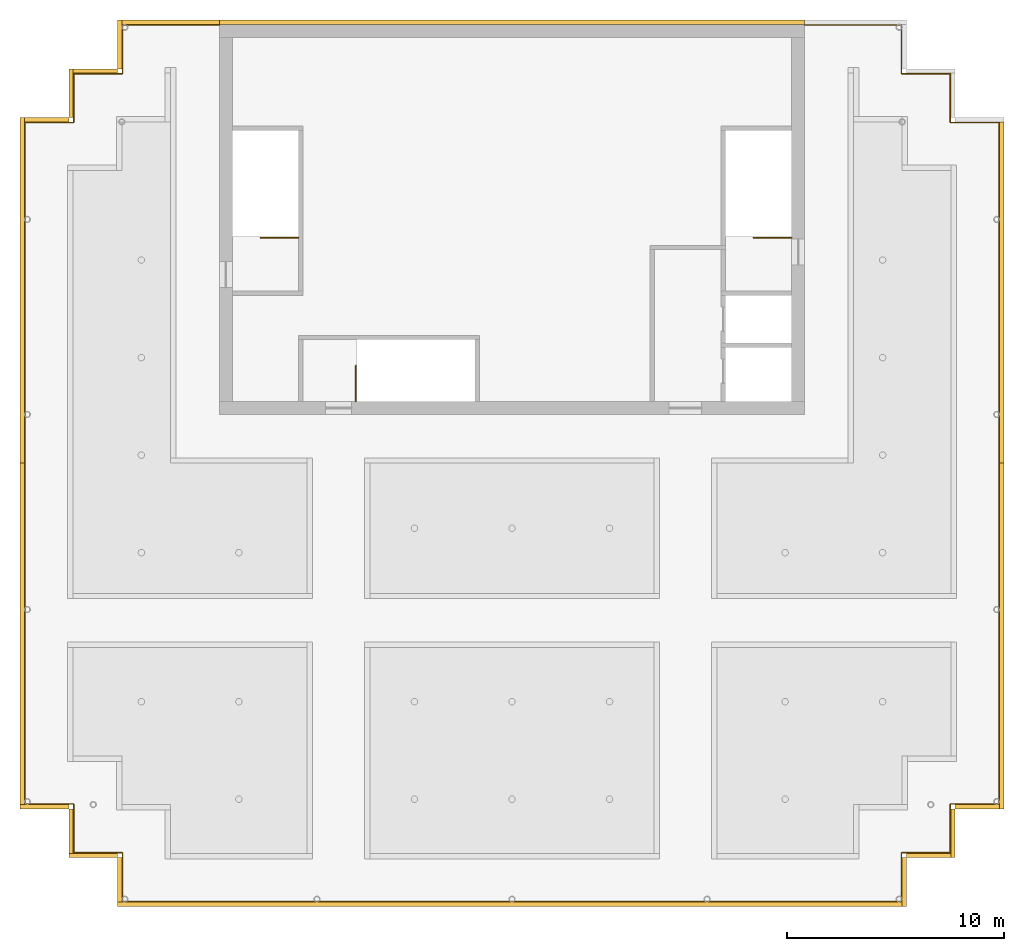
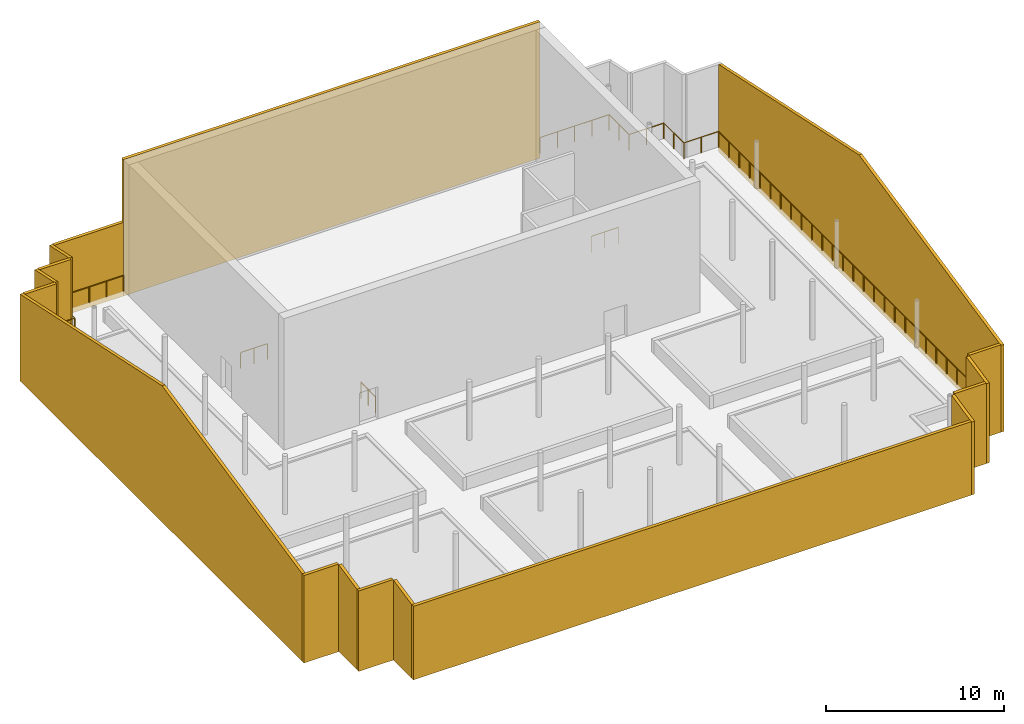
# One storey, part 7 of 9: 17 shading devices, 4 railings.
"""IFC4 building model written with IfcOpenShell, lengths in metres."""

from ifc_helpers import new_model, si_unit, direction, frame, origin, origin_2d, place, context, subcontext, project, spatial, polyline, rectangle, circle, outline, extrude, material, layer, layer_set, type_object, element, save


model = new_model("IFC4")

# Units and contexts
model_context = context("Model", 3, precision=1e-05, world=origin(), true_north=direction((0.0, 1.0)))
body_context = subcontext(model_context, "Body", "Model", "MODEL_VIEW")
ifc_project = project(units=[si_unit("LENGTHUNIT", "METRE"), si_unit("AREAUNIT", "SQUARE_METRE"), si_unit("VOLUMEUNIT", "CUBIC_METRE"), si_unit("PLANEANGLEUNIT", "RADIAN"), si_unit("MASSUNIT", "GRAM", prefix="KILO")], contexts=[model_context])

# Site, building, storey
site_placement = place(None, origin())
site = spatial("IfcSite", under=ifc_project, at=site_placement, CompositionType="ELEMENT")
building_placement = place(site_placement, origin())
building = spatial("IfcBuilding", under=site, at=building_placement, Name="Orbiselva Terraces", CompositionType="ELEMENT")
storey_placement = place(building_placement, frame((0.0, 0.0, 303.4)))
storey = spatial("IfcBuildingStorey", under=building, at=storey_placement, Name="L75", CompositionType="ELEMENT", Elevation=303.4)

# Railings
ifc_material_1 = material(Name="Stainless steel", Category="steel")
railing_type_1 = type_object("IfcRailingType", Name="CORE-GUARD-1100", PredefinedType="GUARDRAIL", material=ifc_material_1)
for number, where, name in (
    (1, (-9.85, 12.65, 0.0), "L75 S1 top well guard 1"),
    (2, (12.9, 12.65, 0.0), "L75 S2 top well guard 1"),
):
    element("IfcRailing", number, at=place(storey_placement, frame(where)), inside=storey, type_object=railing_type_1, Name=name, PredefinedType="GUARDRAIL", context=body_context, shape_type="SweptSolid", body=[
        extrude(circle(Radius=0.024, at=origin_2d()), frame((0.0, 0.0, 1.081), z_axis=(-1.0, 0.0, 0.0), x_axis=(0.0, -1.0, 0.0)), (0.0, 0.0, 1.0), 1.75),
        extrude(circle(Radius=0.021, at=origin_2d()), origin(), (0.0, 0.0, 1.0), 1.057),
        extrude(circle(Radius=0.021, at=origin_2d()), frame((-0.875, 0.0, 0.0)), (0.0, 0.0, 1.0), 1.057),
        extrude(circle(Radius=0.021, at=origin_2d()), frame((-1.75, 0.0, 0.0)), (0.0, 0.0, 1.0), 1.057),
    ])
railing_1_placement = place(storey_placement, frame((-7.2, 5.1, 0.0)))
element("IfcRailing", 3, at=railing_1_placement, inside=storey, type_object=railing_type_1, Name="L75 S3 top well guard 1", PredefinedType="GUARDRAIL", context=body_context, shape_type="SweptSolid", body=[
    extrude(circle(Radius=0.024, at=origin_2d()), frame((0.0, 0.0, 1.081), z_axis=(0.0, 1.0, 0.0), x_axis=(-1.0, 0.0, 0.0)), (0.0, 0.0, 1.0), 1.65),
    extrude(circle(Radius=0.021, at=origin_2d()), origin(), (0.0, 0.0, 1.0), 1.057),
    extrude(circle(Radius=0.021, at=origin_2d()), frame((0.0, 0.825, 0.0)), (0.0, 0.0, 1.0), 1.057),
    extrude(circle(Radius=0.021, at=origin_2d()), frame((0.0, 1.65, 0.0)), (0.0, 0.0, 1.0), 1.057),
])

# Shading devices
ifc_material_2 = material(Name="Terracotta louvre blades", Category="masonry")
ifc_layer = layer(ifc_material_2, 0.2)
ifc_layer_set = layer_set([ifc_layer], Name="Terracotta louvre blades")
shading_device_type = type_object("IfcShadingDeviceType", Name="ENV-LOUVRE-WALL-200", PredefinedType="USERDEFINED", material=ifc_layer_set)
shading_device_1_placement = place(storey_placement, frame((-18.2, -18.1, -0.35), z_axis=(0.0, 0.0, 1.0), x_axis=(1.0, 0.0, 0.0)))
element("IfcShadingDevice", 4, at=shading_device_1_placement, inside=storey, type_object=shading_device_type, Name="Crown louvre screen S", ObjectType="LOUVRE", PredefinedType="USERDEFINED", context=body_context, shape_type="SweptSolid", body=[
    extrude(outline(polyline([(0.0, 0.0), (36.2, 0.0), (36.2, 5.0457), (0.0, 5.0457), (0.0, 0.0)])), frame((0.0, 0.1, 0.0), z_axis=(0.0, -1.0, 0.0), x_axis=(1.0, 0.0, 0.0)), (0.0, 0.0, 1.0), 0.2),
])
shading_device_2_placement = place(storey_placement, frame((18.1, -18.2, -0.35), z_axis=(0.0, 0.0, 1.0), x_axis=(0.0, 1.0, 0.0)))
element("IfcShadingDevice", 5, at=shading_device_2_placement, inside=storey, type_object=shading_device_type, Name="Crown louvre screen STEP", ObjectType="LOUVRE", PredefinedType="USERDEFINED", context=body_context, shape_type="SweptSolid", body=[
    extrude(outline(polyline([(0.0, 0.0), (2.25, 0.0), (2.25, 5.4815), (0.0, 5.0032), (0.0, 0.0)])), frame((0.0, 0.1, 0.0), z_axis=(0.0, -1.0, 0.0), x_axis=(1.0, 0.0, 0.0)), (0.0, 0.0, 1.0), 0.2),
])
shading_device_3_placement = place(storey_placement, frame((18.2, -15.85, -0.35), z_axis=(0.0, 0.0, 1.0), x_axis=(1.0, 0.0, 0.0)))
element("IfcShadingDevice", 6, at=shading_device_3_placement, inside=storey, type_object=shading_device_type, Name="Crown louvre screen STEP", ObjectType="LOUVRE", PredefinedType="USERDEFINED", context=body_context, shape_type="SweptSolid", body=[
    extrude(outline(polyline([(0.0, 0.0), (2.05, 0.0), (2.05, 5.524), (0.0, 5.524), (0.0, 0.0)])), frame((0.0, 0.1, 0.0), z_axis=(0.0, -1.0, 0.0), x_axis=(1.0, 0.0, 0.0)), (0.0, 0.0, 1.0), 0.2),
])
shading_device_4_placement = place(storey_placement, frame((20.35, -15.95, -0.35), z_axis=(0.0, 0.0, 1.0), x_axis=(0.0, 1.0, 0.0)))
element("IfcShadingDevice", 7, at=shading_device_4_placement, inside=storey, type_object=shading_device_type, Name="Crown louvre screen STEP", ObjectType="LOUVRE", PredefinedType="USERDEFINED", context=body_context, shape_type="SweptSolid", body=[
    extrude(outline(polyline([(0.0, 0.0), (2.25, 0.0), (2.25, 5.9597), (0.0, 5.4815), (0.0, 0.0)])), frame((0.0, 0.1, 0.0), z_axis=(0.0, -1.0, 0.0), x_axis=(1.0, 0.0, 0.0)), (0.0, 0.0, 1.0), 0.2),
])
shading_device_5_placement = place(storey_placement, frame((20.45, -13.6, -0.35), z_axis=(0.0, 0.0, 1.0), x_axis=(1.0, 0.0, 0.0)))
element("IfcShadingDevice", 8, at=shading_device_5_placement, inside=storey, type_object=shading_device_type, Name="Crown louvre screen STEP", ObjectType="LOUVRE", PredefinedType="USERDEFINED", context=body_context, shape_type="SweptSolid", body=[
    extrude(outline(polyline([(0.0, 0.0), (2.05, 0.0), (2.05, 6.0022), (0.0, 6.0022), (0.0, 0.0)])), frame((0.0, 0.1, 0.0), z_axis=(0.0, -1.0, 0.0), x_axis=(1.0, 0.0, 0.0)), (0.0, 0.0, 1.0), 0.2),
])
shading_device_6_placement = place(storey_placement, frame((22.6, -13.7, -0.35), z_axis=(0.0, 0.0, 1.0), x_axis=(0.0, 1.0, 0.0)))
element("IfcShadingDevice", 9, at=shading_device_6_placement, inside=storey, type_object=shading_device_type, Name="Crown louvre screen E", ObjectType="LOUVRE", PredefinedType="USERDEFINED", context=body_context, shape_type="SweptSolid", body=[
    extrude(outline(polyline([(0.0, 0.0), (31.7, 0.0), (31.7, 6.0022), (15.95, 9.35), (0.0, 5.9597), (0.0, 0.0)])), frame((0.0, 0.1, 0.0), z_axis=(0.0, -1.0, 0.0), x_axis=(1.0, 0.0, 0.0)), (0.0, 0.0, 1.0), 0.2),
])
shading_device_7_placement = place(storey_placement, frame((13.5, 22.6, -0.35), z_axis=(0.0, 0.0, 1.0), x_axis=(-1.0, 0.0, 0.0)))
element("IfcShadingDevice", 10, at=shading_device_7_placement, inside=storey, type_object=shading_device_type, Name="Crown louvre screen CORE NORTH", ObjectType="LOUVRE", PredefinedType="USERDEFINED", context=body_context, shape_type="SweptSolid", body=[
    extrude(outline(polyline([(0.0, 0.0), (27.0, 0.0), (27.0, 9.35), (0.0, 9.35), (0.0, 0.0)])), frame((0.0, 0.1, 0.0), z_axis=(0.0, -1.0, 0.0), x_axis=(1.0, 0.0, 0.0)), (0.0, 0.0, 1.0), 0.2),
])
shading_device_8_placement = place(storey_placement, frame((-13.5, 22.6, -0.35), z_axis=(0.0, 0.0, 1.0), x_axis=(-1.0, 0.0, 0.0)))
element("IfcShadingDevice", 11, at=shading_device_8_placement, inside=storey, type_object=shading_device_type, Name="Crown louvre screen NW", ObjectType="LOUVRE", PredefinedType="USERDEFINED", context=body_context, shape_type="SweptSolid", body=[
    extrude(outline(polyline([(0.0, 0.0), (4.5, 0.0), (4.5, 5.0457), (0.0, 5.0457), (0.0, 0.0)])), frame((0.0, 0.1, 0.0), z_axis=(0.0, -1.0, 0.0), x_axis=(1.0, 0.0, 0.0)), (0.0, 0.0, 1.0), 0.2),
])
shading_device_9_placement = place(storey_placement, frame((-18.1, 22.7, -0.35), z_axis=(0.0, 0.0, 1.0), x_axis=(0.0, -1.0, 0.0)))
element("IfcShadingDevice", 12, at=shading_device_9_placement, inside=storey, type_object=shading_device_type, Name="Crown louvre screen STEP", ObjectType="LOUVRE", PredefinedType="USERDEFINED", context=body_context, shape_type="SweptSolid", body=[
    extrude(outline(polyline([(0.0, 0.0), (2.25, 0.0), (2.25, 5.4815), (0.0, 5.0032), (0.0, 0.0)])), frame((0.0, 0.1, 0.0), z_axis=(0.0, -1.0, 0.0), x_axis=(1.0, 0.0, 0.0)), (0.0, 0.0, 1.0), 0.2),
])
shading_device_10_placement = place(storey_placement, frame((-18.2, 20.35, -0.35), z_axis=(0.0, 0.0, 1.0), x_axis=(-1.0, 0.0, 0.0)))
element("IfcShadingDevice", 13, at=shading_device_10_placement, inside=storey, type_object=shading_device_type, Name="Crown louvre screen STEP", ObjectType="LOUVRE", PredefinedType="USERDEFINED", context=body_context, shape_type="SweptSolid", body=[
    extrude(outline(polyline([(0.0, 0.0), (2.05, 0.0), (2.05, 5.524), (0.0, 5.524), (0.0, 0.0)])), frame((0.0, 0.1, 0.0), z_axis=(0.0, -1.0, 0.0), x_axis=(1.0, 0.0, 0.0)), (0.0, 0.0, 1.0), 0.2),
])
shading_device_11_placement = place(storey_placement, frame((-20.35, 20.45, -0.35), z_axis=(0.0, 0.0, 1.0), x_axis=(0.0, -1.0, 0.0)))
element("IfcShadingDevice", 14, at=shading_device_11_placement, inside=storey, type_object=shading_device_type, Name="Crown louvre screen STEP", ObjectType="LOUVRE", PredefinedType="USERDEFINED", context=body_context, shape_type="SweptSolid", body=[
    extrude(outline(polyline([(0.0, 0.0), (2.25, 0.0), (2.25, 5.9597), (0.0, 5.4815), (0.0, 0.0)])), frame((0.0, 0.1, 0.0), z_axis=(0.0, -1.0, 0.0), x_axis=(1.0, 0.0, 0.0)), (0.0, 0.0, 1.0), 0.2),
])
shading_device_12_placement = place(storey_placement, frame((-20.45, 18.1, -0.35), z_axis=(0.0, 0.0, 1.0), x_axis=(-1.0, 0.0, 0.0)))
element("IfcShadingDevice", 15, at=shading_device_12_placement, inside=storey, type_object=shading_device_type, Name="Crown louvre screen STEP", ObjectType="LOUVRE", PredefinedType="USERDEFINED", context=body_context, shape_type="SweptSolid", body=[
    extrude(outline(polyline([(0.0, 0.0), (2.05, 0.0), (2.05, 6.0022), (0.0, 6.0022), (0.0, 0.0)])), frame((0.0, 0.1, 0.0), z_axis=(0.0, -1.0, 0.0), x_axis=(1.0, 0.0, 0.0)), (0.0, 0.0, 1.0), 0.2),
])
shading_device_13_placement = place(storey_placement, frame((-22.6, 18.2, -0.35), z_axis=(0.0, 0.0, 1.0), x_axis=(0.0, -1.0, 0.0)))
element("IfcShadingDevice", 16, at=shading_device_13_placement, inside=storey, type_object=shading_device_type, Name="Crown louvre screen W", ObjectType="LOUVRE", PredefinedType="USERDEFINED", context=body_context, shape_type="SweptSolid", body=[
    extrude(outline(polyline([(0.0, 0.0), (31.7, 0.0), (31.7, 6.0022), (15.95, 9.35), (0.0, 5.9597), (0.0, 0.0)])), frame((0.0, 0.1, 0.0), z_axis=(0.0, -1.0, 0.0), x_axis=(1.0, 0.0, 0.0)), (0.0, 0.0, 1.0), 0.2),
])
shading_device_14_placement = place(storey_placement, frame((-22.7, -13.6, -0.35), z_axis=(0.0, 0.0, 1.0), x_axis=(1.0, 0.0, 0.0)))
element("IfcShadingDevice", 17, at=shading_device_14_placement, inside=storey, type_object=shading_device_type, Name="Crown louvre screen STEP", ObjectType="LOUVRE", PredefinedType="USERDEFINED", context=body_context, shape_type="SweptSolid", body=[
    extrude(outline(polyline([(0.0, 0.0), (2.25, 0.0), (2.25, 6.0022), (0.0, 6.0022), (0.0, 0.0)])), frame((0.0, 0.1, 0.0), z_axis=(0.0, -1.0, 0.0), x_axis=(1.0, 0.0, 0.0)), (0.0, 0.0, 1.0), 0.2),
])
shading_device_15_placement = place(storey_placement, frame((-20.35, -13.7, -0.35), z_axis=(0.0, 0.0, 1.0), x_axis=(0.0, -1.0, 0.0)))
element("IfcShadingDevice", 18, at=shading_device_15_placement, inside=storey, type_object=shading_device_type, Name="Crown louvre screen STEP", ObjectType="LOUVRE", PredefinedType="USERDEFINED", context=body_context, shape_type="SweptSolid", body=[
    extrude(outline(polyline([(0.0, 0.0), (2.05, 0.0), (2.05, 5.524), (0.0, 5.9597), (0.0, 0.0)])), frame((0.0, 0.1, 0.0), z_axis=(0.0, -1.0, 0.0), x_axis=(1.0, 0.0, 0.0)), (0.0, 0.0, 1.0), 0.2),
])
shading_device_16_placement = place(storey_placement, frame((-20.45, -15.85, -0.35), z_axis=(0.0, 0.0, 1.0), x_axis=(1.0, 0.0, 0.0)))
element("IfcShadingDevice", 19, at=shading_device_16_placement, inside=storey, type_object=shading_device_type, Name="Crown louvre screen STEP", ObjectType="LOUVRE", PredefinedType="USERDEFINED", context=body_context, shape_type="SweptSolid", body=[
    extrude(outline(polyline([(0.0, 0.0), (2.25, 0.0), (2.25, 5.524), (0.0, 5.524), (0.0, 0.0)])), frame((0.0, 0.1, 0.0), z_axis=(0.0, -1.0, 0.0), x_axis=(1.0, 0.0, 0.0)), (0.0, 0.0, 1.0), 0.2),
])
shading_device_17_placement = place(storey_placement, frame((-18.1, -15.95, -0.35), z_axis=(0.0, 0.0, 1.0), x_axis=(0.0, -1.0, 0.0)))
element("IfcShadingDevice", 20, at=shading_device_17_placement, inside=storey, type_object=shading_device_type, Name="Crown louvre screen STEP", ObjectType="LOUVRE", PredefinedType="USERDEFINED", context=body_context, shape_type="SweptSolid", body=[
    extrude(outline(polyline([(0.0, 0.0), (2.05, 0.0), (2.05, 5.0457), (0.0, 5.4815), (0.0, 0.0)])), frame((0.0, 0.1, 0.0), z_axis=(0.0, -1.0, 0.0), x_axis=(1.0, 0.0, 0.0)), (0.0, 0.0, 1.0), 0.2),
])

# Railing
ifc_material_3 = material(Name="Stainless steel rail and posts", Category="steel")
railing_type_2 = type_object("IfcRailingType", Name="ENV-TERRACE-GUARD-1105", PredefinedType="BALUSTRADE", material=ifc_material_3)
railing_2_placement = place(storey_placement, frame((-13.5, 22.475, 0.0)))
element("IfcRailing", 21, at=railing_2_placement, inside=storey, type_object=railing_type_2, Name="Guard L75 crown", PredefinedType="BALUSTRADE", context=body_context, shape_type="SweptSolid", body=[
    extrude(outline(polyline([(0.028868, 0.0), (0.014434, 0.025), (-0.014434, 0.025), (-0.028868, 0.0), (-0.014434, -0.025), (0.014434, -0.025), (0.028868, 0.0)])), frame((0.0, 0.0, 1.08), z_axis=(-1.0, 0.0, 0.0), x_axis=(0.0, -1.0, 0.0)), (0.0, 0.0, 1.0), 4.475),
    extrude(outline(polyline([(0.028868, 0.0), (0.014434, 0.025), (-0.014434, 0.025), (-0.028868, 0.0), (-0.014434, -0.025), (0.014434, -0.025), (0.028868, 0.0)])), frame((-4.475, 0.0, 1.08), z_axis=(0.0, -1.0, 0.0), x_axis=(1.0, 0.0, 0.0)), (0.0, 0.0, 1.0), 2.25),
    extrude(outline(polyline([(0.028868, 0.0), (0.014434, 0.025), (-0.014434, 0.025), (-0.028868, 0.0), (-0.014434, -0.025), (0.014434, -0.025), (0.028868, 0.0)])), frame((-4.475, -2.25, 1.08), z_axis=(-1.0, 0.0, 0.0), x_axis=(0.0, -1.0, 0.0)), (0.0, 0.0, 1.0), 2.25),
    extrude(outline(polyline([(0.028868, 0.0), (0.014434, 0.025), (-0.014434, 0.025), (-0.028868, 0.0), (-0.014434, -0.025), (0.014434, -0.025), (0.028868, 0.0)])), frame((-6.725, -2.25, 1.08), z_axis=(0.0, -1.0, 0.0), x_axis=(1.0, 0.0, 0.0)), (0.0, 0.0, 1.0), 2.25),
    extrude(outline(polyline([(0.028868, 0.0), (0.014434, 0.025), (-0.014434, 0.025), (-0.028868, 0.0), (-0.014434, -0.025), (0.014434, -0.025), (0.028868, 0.0)])), frame((-6.725, -4.5, 1.08), z_axis=(-1.0, 0.0, 0.0), x_axis=(0.0, -1.0, 0.0)), (0.0, 0.0, 1.0), 2.25),
    extrude(outline(polyline([(0.028868, 0.0), (0.014434, 0.025), (-0.014434, 0.025), (-0.028868, 0.0), (-0.014434, -0.025), (0.014434, -0.025), (0.028868, 0.0)])), frame((-8.975, -4.5, 1.08), z_axis=(0.0, -1.0, 0.0), x_axis=(1.0, 0.0, 0.0)), (0.0, 0.0, 1.0), 31.45),
    extrude(outline(polyline([(0.028868, 0.0), (0.014434, 0.025), (-0.014434, 0.025), (-0.028868, 0.0), (-0.014434, -0.025), (0.014434, -0.025), (0.028868, 0.0)])), frame((-8.975, -35.95, 1.08), z_axis=(1.0, 0.0, 0.0), x_axis=(0.0, 1.0, 0.0)), (0.0, 0.0, 1.0), 2.25),
    extrude(outline(polyline([(0.028868, 0.0), (0.014434, 0.025), (-0.014434, 0.025), (-0.028868, 0.0), (-0.014434, -0.025), (0.014434, -0.025), (0.028868, 0.0)])), frame((-6.725, -35.95, 1.08), z_axis=(0.0, -1.0, 0.0), x_axis=(1.0, 0.0, 0.0)), (0.0, 0.0, 1.0), 2.25),
    extrude(outline(polyline([(0.028868, 0.0), (0.014434, 0.025), (-0.014434, 0.025), (-0.028868, 0.0), (-0.014434, -0.025), (0.014434, -0.025), (0.028868, 0.0)])), frame((-6.725, -38.2, 1.08), z_axis=(1.0, 0.0, 0.0), x_axis=(0.0, 1.0, 0.0)), (0.0, 0.0, 1.0), 2.25),
    extrude(outline(polyline([(0.028868, 0.0), (0.014434, 0.025), (-0.014434, 0.025), (-0.028868, 0.0), (-0.014434, -0.025), (0.014434, -0.025), (0.028868, 0.0)])), frame((-4.475, -38.2, 1.08), z_axis=(0.0, -1.0, 0.0), x_axis=(1.0, 0.0, 0.0)), (0.0, 0.0, 1.0), 2.25),
    extrude(outline(polyline([(0.028868, 0.0), (0.014434, 0.025), (-0.014434, 0.025), (-0.028868, 0.0), (-0.014434, -0.025), (0.014434, -0.025), (0.028868, 0.0)])), frame((-4.475, -40.45, 1.08), z_axis=(1.0, 0.0, 0.0), x_axis=(0.0, 1.0, 0.0)), (0.0, 0.0, 1.0), 35.95),
    extrude(outline(polyline([(0.028868, 0.0), (0.014434, 0.025), (-0.014434, 0.025), (-0.028868, 0.0), (-0.014434, -0.025), (0.014434, -0.025), (0.028868, 0.0)])), frame((31.475, -40.45, 1.08), z_axis=(0.0, 1.0, 0.0), x_axis=(-1.0, 0.0, 0.0)), (0.0, 0.0, 1.0), 2.25),
    extrude(outline(polyline([(0.028868, 0.0), (0.014434, 0.025), (-0.014434, 0.025), (-0.028868, 0.0), (-0.014434, -0.025), (0.014434, -0.025), (0.028868, 0.0)])), frame((31.475, -38.2, 1.08), z_axis=(1.0, 0.0, 0.0), x_axis=(0.0, 1.0, 0.0)), (0.0, 0.0, 1.0), 2.25),
    extrude(outline(polyline([(0.028868, 0.0), (0.014434, 0.025), (-0.014434, 0.025), (-0.028868, 0.0), (-0.014434, -0.025), (0.014434, -0.025), (0.028868, 0.0)])), frame((33.725, -38.2, 1.08), z_axis=(0.0, 1.0, 0.0), x_axis=(-1.0, 0.0, 0.0)), (0.0, 0.0, 1.0), 2.25),
    extrude(outline(polyline([(0.028868, 0.0), (0.014434, 0.025), (-0.014434, 0.025), (-0.028868, 0.0), (-0.014434, -0.025), (0.014434, -0.025), (0.028868, 0.0)])), frame((33.725, -35.95, 1.08), z_axis=(1.0, 0.0, 0.0), x_axis=(0.0, 1.0, 0.0)), (0.0, 0.0, 1.0), 2.25),
    extrude(outline(polyline([(0.028868, 0.0), (0.014434, 0.025), (-0.014434, 0.025), (-0.028868, 0.0), (-0.014434, -0.025), (0.014434, -0.025), (0.028868, 0.0)])), frame((35.975, -35.95, 1.08), z_axis=(0.0, 1.0, 0.0), x_axis=(-1.0, 0.0, 0.0)), (0.0, 0.0, 1.0), 31.45),
    extrude(outline(polyline([(0.028868, 0.0), (0.014434, 0.025), (-0.014434, 0.025), (-0.028868, 0.0), (-0.014434, -0.025), (0.014434, -0.025), (0.028868, 0.0)])), frame((35.975, -4.5, 1.08), z_axis=(-1.0, 0.0, 0.0), x_axis=(0.0, -1.0, 0.0)), (0.0, 0.0, 1.0), 2.25),
    extrude(outline(polyline([(0.028868, 0.0), (0.014434, 0.025), (-0.014434, 0.025), (-0.028868, 0.0), (-0.014434, -0.025), (0.014434, -0.025), (0.028868, 0.0)])), frame((33.725, -4.5, 1.08), z_axis=(0.0, 1.0, 0.0), x_axis=(-1.0, 0.0, 0.0)), (0.0, 0.0, 1.0), 2.25),
    extrude(outline(polyline([(0.028868, 0.0), (0.014434, 0.025), (-0.014434, 0.025), (-0.028868, 0.0), (-0.014434, -0.025), (0.014434, -0.025), (0.028868, 0.0)])), frame((33.725, -2.25, 1.08), z_axis=(-1.0, 0.0, 0.0), x_axis=(0.0, -1.0, 0.0)), (0.0, 0.0, 1.0), 2.25),
    extrude(outline(polyline([(0.028868, 0.0), (0.014434, 0.025), (-0.014434, 0.025), (-0.028868, 0.0), (-0.014434, -0.025), (0.014434, -0.025), (0.028868, 0.0)])), frame((31.475, -2.25, 1.08), z_axis=(0.0, 1.0, 0.0), x_axis=(-1.0, 0.0, 0.0)), (0.0, 0.0, 1.0), 2.25),
    extrude(outline(polyline([(0.028868, 0.0), (0.014434, 0.025), (-0.014434, 0.025), (-0.028868, 0.0), (-0.014434, -0.025), (0.014434, -0.025), (0.028868, 0.0)])), frame((31.475, 0.0, 1.08), z_axis=(-1.0, 0.0, 0.0), x_axis=(0.0, -1.0, 0.0)), (0.0, 0.0, 1.0), 4.475),
    extrude(rectangle(XDim=0.05, YDim=0.05, at=origin_2d()), origin(), (0.0, 0.0, 1.0), 1.055),
    extrude(rectangle(XDim=0.05, YDim=0.05, at=origin_2d()), frame((-1.11875, 0.0, 0.0)), (0.0, 0.0, 1.0), 1.055),
    extrude(rectangle(XDim=0.05, YDim=0.05, at=origin_2d()), frame((-2.2375, 0.0, 0.0)), (0.0, 0.0, 1.0), 1.055),
    extrude(rectangle(XDim=0.05, YDim=0.05, at=origin_2d()), frame((-3.35625, 0.0, 0.0)), (0.0, 0.0, 1.0), 1.055),
    extrude(rectangle(XDim=0.05, YDim=0.05, at=origin_2d()), frame((-4.475, 0.0, 0.0)), (0.0, 0.0, 1.0), 1.055),
    extrude(rectangle(XDim=0.05, YDim=0.05, at=origin_2d()), frame((-4.475, -1.125, 0.0)), (0.0, 0.0, 1.0), 1.055),
    extrude(rectangle(XDim=0.05, YDim=0.05, at=origin_2d()), frame((-4.475, -2.25, 0.0)), (0.0, 0.0, 1.0), 1.055),
    extrude(rectangle(XDim=0.05, YDim=0.05, at=origin_2d()), frame((-5.6, -2.25, 0.0)), (0.0, 0.0, 1.0), 1.055),
    extrude(rectangle(XDim=0.05, YDim=0.05, at=origin_2d()), frame((-6.725, -2.25, 0.0)), (0.0, 0.0, 1.0), 1.055),
    extrude(rectangle(XDim=0.05, YDim=0.05, at=origin_2d()), frame((-6.725, -3.375, 0.0)), (0.0, 0.0, 1.0), 1.055),
    extrude(rectangle(XDim=0.05, YDim=0.05, at=origin_2d()), frame((-6.725, -4.5, 0.0)), (0.0, 0.0, 1.0), 1.055),
    extrude(rectangle(XDim=0.05, YDim=0.05, at=origin_2d()), frame((-7.85, -4.5, 0.0)), (0.0, 0.0, 1.0), 1.055),
    extrude(rectangle(XDim=0.05, YDim=0.05, at=origin_2d()), frame((-8.975, -4.5, 0.0)), (0.0, 0.0, 1.0), 1.055),
    extrude(rectangle(XDim=0.05, YDim=0.05, at=origin_2d()), frame((-8.975, -5.664815, 0.0)), (0.0, 0.0, 1.0), 1.055),
    extrude(rectangle(XDim=0.05, YDim=0.05, at=origin_2d()), frame((-8.975, -6.82963, 0.0)), (0.0, 0.0, 1.0), 1.055),
    extrude(rectangle(XDim=0.05, YDim=0.05, at=origin_2d()), frame((-8.975, -7.994444, 0.0)), (0.0, 0.0, 1.0), 1.055),
    extrude(rectangle(XDim=0.05, YDim=0.05, at=origin_2d()), frame((-8.975, -9.159259, 0.0)), (0.0, 0.0, 1.0), 1.055),
    extrude(rectangle(XDim=0.05, YDim=0.05, at=origin_2d()), frame((-8.975, -10.324074, 0.0)), (0.0, 0.0, 1.0), 1.055),
    extrude(rectangle(XDim=0.05, YDim=0.05, at=origin_2d()), frame((-8.975, -11.488889, 0.0)), (0.0, 0.0, 1.0), 1.055),
    extrude(rectangle(XDim=0.05, YDim=0.05, at=origin_2d()), frame((-8.975, -12.653704, 0.0)), (0.0, 0.0, 1.0), 1.055),
    extrude(rectangle(XDim=0.05, YDim=0.05, at=origin_2d()), frame((-8.975, -13.818519, 0.0)), (0.0, 0.0, 1.0), 1.055),
    extrude(rectangle(XDim=0.05, YDim=0.05, at=origin_2d()), frame((-8.975, -14.983333, 0.0)), (0.0, 0.0, 1.0), 1.055),
    extrude(rectangle(XDim=0.05, YDim=0.05, at=origin_2d()), frame((-8.975, -16.148148, 0.0)), (0.0, 0.0, 1.0), 1.055),
    extrude(rectangle(XDim=0.05, YDim=0.05, at=origin_2d()), frame((-8.975, -17.312963, 0.0)), (0.0, 0.0, 1.0), 1.055),
    extrude(rectangle(XDim=0.05, YDim=0.05, at=origin_2d()), frame((-8.975, -18.477778, 0.0)), (0.0, 0.0, 1.0), 1.055),
    extrude(rectangle(XDim=0.05, YDim=0.05, at=origin_2d()), frame((-8.975, -19.642593, 0.0)), (0.0, 0.0, 1.0), 1.055),
    extrude(rectangle(XDim=0.05, YDim=0.05, at=origin_2d()), frame((-8.975, -20.807407, 0.0)), (0.0, 0.0, 1.0), 1.055),
    extrude(rectangle(XDim=0.05, YDim=0.05, at=origin_2d()), frame((-8.975, -21.972222, 0.0)), (0.0, 0.0, 1.0), 1.055),
    extrude(rectangle(XDim=0.05, YDim=0.05, at=origin_2d()), frame((-8.975, -23.137037, 0.0)), (0.0, 0.0, 1.0), 1.055),
    extrude(rectangle(XDim=0.05, YDim=0.05, at=origin_2d()), frame((-8.975, -24.301852, 0.0)), (0.0, 0.0, 1.0), 1.055),
    extrude(rectangle(XDim=0.05, YDim=0.05, at=origin_2d()), frame((-8.975, -25.466667, 0.0)), (0.0, 0.0, 1.0), 1.055),
    extrude(rectangle(XDim=0.05, YDim=0.05, at=origin_2d()), frame((-8.975, -26.631481, 0.0)), (0.0, 0.0, 1.0), 1.055),
    extrude(rectangle(XDim=0.05, YDim=0.05, at=origin_2d()), frame((-8.975, -27.796296, 0.0)), (0.0, 0.0, 1.0), 1.055),
    extrude(rectangle(XDim=0.05, YDim=0.05, at=origin_2d()), frame((-8.975, -28.961111, 0.0)), (0.0, 0.0, 1.0), 1.055),
    extrude(rectangle(XDim=0.05, YDim=0.05, at=origin_2d()), frame((-8.975, -30.125926, 0.0)), (0.0, 0.0, 1.0), 1.055),
    extrude(rectangle(XDim=0.05, YDim=0.05, at=origin_2d()), frame((-8.975, -31.290741, 0.0)), (0.0, 0.0, 1.0), 1.055),
    extrude(rectangle(XDim=0.05, YDim=0.05, at=origin_2d()), frame((-8.975, -32.455556, 0.0)), (0.0, 0.0, 1.0), 1.055),
    extrude(rectangle(XDim=0.05, YDim=0.05, at=origin_2d()), frame((-8.975, -33.62037, 0.0)), (0.0, 0.0, 1.0), 1.055),
    extrude(rectangle(XDim=0.05, YDim=0.05, at=origin_2d()), frame((-8.975, -34.785185, 0.0)), (0.0, 0.0, 1.0), 1.055),
    extrude(rectangle(XDim=0.05, YDim=0.05, at=origin_2d()), frame((-8.975, -35.95, 0.0)), (0.0, 0.0, 1.0), 1.055),
    extrude(rectangle(XDim=0.05, YDim=0.05, at=origin_2d()), frame((-7.85, -35.95, 0.0)), (0.0, 0.0, 1.0), 1.055),
    extrude(rectangle(XDim=0.05, YDim=0.05, at=origin_2d()), frame((-6.725, -35.95, 0.0)), (0.0, 0.0, 1.0), 1.055),
    extrude(rectangle(XDim=0.05, YDim=0.05, at=origin_2d()), frame((-6.725, -37.075, 0.0)), (0.0, 0.0, 1.0), 1.055),
    extrude(rectangle(XDim=0.05, YDim=0.05, at=origin_2d()), frame((-6.725, -38.2, 0.0)), (0.0, 0.0, 1.0), 1.055),
    extrude(rectangle(XDim=0.05, YDim=0.05, at=origin_2d()), frame((-5.6, -38.2, 0.0)), (0.0, 0.0, 1.0), 1.055),
    extrude(rectangle(XDim=0.05, YDim=0.05, at=origin_2d()), frame((-4.475, -38.2, 0.0)), (0.0, 0.0, 1.0), 1.055),
    extrude(rectangle(XDim=0.05, YDim=0.05, at=origin_2d()), frame((-4.475, -39.325, 0.0)), (0.0, 0.0, 1.0), 1.055),
    extrude(rectangle(XDim=0.05, YDim=0.05, at=origin_2d()), frame((-4.475, -40.45, 0.0)), (0.0, 0.0, 1.0), 1.055),
    extrude(rectangle(XDim=0.05, YDim=0.05, at=origin_2d()), frame((-3.276667, -40.45, 0.0)), (0.0, 0.0, 1.0), 1.055),
    extrude(rectangle(XDim=0.05, YDim=0.05, at=origin_2d()), frame((-2.078333, -40.45, 0.0)), (0.0, 0.0, 1.0), 1.055),
    extrude(rectangle(XDim=0.05, YDim=0.05, at=origin_2d()), frame((-0.88, -40.45, 0.0)), (0.0, 0.0, 1.0), 1.055),
    extrude(rectangle(XDim=0.05, YDim=0.05, at=origin_2d()), frame((0.318333, -40.45, 0.0)), (0.0, 0.0, 1.0), 1.055),
    extrude(rectangle(XDim=0.05, YDim=0.05, at=origin_2d()), frame((1.516667, -40.45, 0.0)), (0.0, 0.0, 1.0), 1.055),
    extrude(rectangle(XDim=0.05, YDim=0.05, at=origin_2d()), frame((2.715, -40.45, 0.0)), (0.0, 0.0, 1.0), 1.055),
    extrude(rectangle(XDim=0.05, YDim=0.05, at=origin_2d()), frame((3.913333, -40.45, 0.0)), (0.0, 0.0, 1.0), 1.055),
    extrude(rectangle(XDim=0.05, YDim=0.05, at=origin_2d()), frame((5.111667, -40.45, 0.0)), (0.0, 0.0, 1.0), 1.055),
    extrude(rectangle(XDim=0.05, YDim=0.05, at=origin_2d()), frame((6.31, -40.45, 0.0)), (0.0, 0.0, 1.0), 1.055),
    extrude(rectangle(XDim=0.05, YDim=0.05, at=origin_2d()), frame((7.508333, -40.45, 0.0)), (0.0, 0.0, 1.0), 1.055),
    extrude(rectangle(XDim=0.05, YDim=0.05, at=origin_2d()), frame((8.706667, -40.45, 0.0)), (0.0, 0.0, 1.0), 1.055),
    extrude(rectangle(XDim=0.05, YDim=0.05, at=origin_2d()), frame((9.905, -40.45, 0.0)), (0.0, 0.0, 1.0), 1.055),
    extrude(rectangle(XDim=0.05, YDim=0.05, at=origin_2d()), frame((11.103333, -40.45, 0.0)), (0.0, 0.0, 1.0), 1.055),
    extrude(rectangle(XDim=0.05, YDim=0.05, at=origin_2d()), frame((12.301667, -40.45, 0.0)), (0.0, 0.0, 1.0), 1.055),
    extrude(rectangle(XDim=0.05, YDim=0.05, at=origin_2d()), frame((13.5, -40.45, 0.0)), (0.0, 0.0, 1.0), 1.055),
    extrude(rectangle(XDim=0.05, YDim=0.05, at=origin_2d()), frame((14.698333, -40.45, 0.0)), (0.0, 0.0, 1.0), 1.055),
    extrude(rectangle(XDim=0.05, YDim=0.05, at=origin_2d()), frame((15.896667, -40.45, 0.0)), (0.0, 0.0, 1.0), 1.055),
    extrude(rectangle(XDim=0.05, YDim=0.05, at=origin_2d()), frame((17.095, -40.45, 0.0)), (0.0, 0.0, 1.0), 1.055),
    extrude(rectangle(XDim=0.05, YDim=0.05, at=origin_2d()), frame((18.293333, -40.45, 0.0)), (0.0, 0.0, 1.0), 1.055),
    extrude(rectangle(XDim=0.05, YDim=0.05, at=origin_2d()), frame((19.491667, -40.45, 0.0)), (0.0, 0.0, 1.0), 1.055),
    extrude(rectangle(XDim=0.05, YDim=0.05, at=origin_2d()), frame((20.69, -40.45, 0.0)), (0.0, 0.0, 1.0), 1.055),
    extrude(rectangle(XDim=0.05, YDim=0.05, at=origin_2d()), frame((21.888333, -40.45, 0.0)), (0.0, 0.0, 1.0), 1.055),
    extrude(rectangle(XDim=0.05, YDim=0.05, at=origin_2d()), frame((23.086667, -40.45, 0.0)), (0.0, 0.0, 1.0), 1.055),
    extrude(rectangle(XDim=0.05, YDim=0.05, at=origin_2d()), frame((24.285, -40.45, 0.0)), (0.0, 0.0, 1.0), 1.055),
    extrude(rectangle(XDim=0.05, YDim=0.05, at=origin_2d()), frame((25.483333, -40.45, 0.0)), (0.0, 0.0, 1.0), 1.055),
    extrude(rectangle(XDim=0.05, YDim=0.05, at=origin_2d()), frame((26.681667, -40.45, 0.0)), (0.0, 0.0, 1.0), 1.055),
    extrude(rectangle(XDim=0.05, YDim=0.05, at=origin_2d()), frame((27.88, -40.45, 0.0)), (0.0, 0.0, 1.0), 1.055),
    extrude(rectangle(XDim=0.05, YDim=0.05, at=origin_2d()), frame((29.078333, -40.45, 0.0)), (0.0, 0.0, 1.0), 1.055),
    extrude(rectangle(XDim=0.05, YDim=0.05, at=origin_2d()), frame((30.276667, -40.45, 0.0)), (0.0, 0.0, 1.0), 1.055),
    extrude(rectangle(XDim=0.05, YDim=0.05, at=origin_2d()), frame((31.475, -40.45, 0.0)), (0.0, 0.0, 1.0), 1.055),
    extrude(rectangle(XDim=0.05, YDim=0.05, at=origin_2d()), frame((31.475, -39.325, 0.0)), (0.0, 0.0, 1.0), 1.055),
    extrude(rectangle(XDim=0.05, YDim=0.05, at=origin_2d()), frame((31.475, -38.2, 0.0)), (0.0, 0.0, 1.0), 1.055),
    extrude(rectangle(XDim=0.05, YDim=0.05, at=origin_2d()), frame((32.6, -38.2, 0.0)), (0.0, 0.0, 1.0), 1.055),
    extrude(rectangle(XDim=0.05, YDim=0.05, at=origin_2d()), frame((33.725, -38.2, 0.0)), (0.0, 0.0, 1.0), 1.055),
    extrude(rectangle(XDim=0.05, YDim=0.05, at=origin_2d()), frame((33.725, -37.075, 0.0)), (0.0, 0.0, 1.0), 1.055),
    extrude(rectangle(XDim=0.05, YDim=0.05, at=origin_2d()), frame((33.725, -35.95, 0.0)), (0.0, 0.0, 1.0), 1.055),
    extrude(rectangle(XDim=0.05, YDim=0.05, at=origin_2d()), frame((34.85, -35.95, 0.0)), (0.0, 0.0, 1.0), 1.055),
    extrude(rectangle(XDim=0.05, YDim=0.05, at=origin_2d()), frame((35.975, -35.95, 0.0)), (0.0, 0.0, 1.0), 1.055),
    extrude(rectangle(XDim=0.05, YDim=0.05, at=origin_2d()), frame((35.975, -34.785185, 0.0)), (0.0, 0.0, 1.0), 1.055),
    extrude(rectangle(XDim=0.05, YDim=0.05, at=origin_2d()), frame((35.975, -33.62037, 0.0)), (0.0, 0.0, 1.0), 1.055),
    extrude(rectangle(XDim=0.05, YDim=0.05, at=origin_2d()), frame((35.975, -32.455556, 0.0)), (0.0, 0.0, 1.0), 1.055),
    extrude(rectangle(XDim=0.05, YDim=0.05, at=origin_2d()), frame((35.975, -31.290741, 0.0)), (0.0, 0.0, 1.0), 1.055),
    extrude(rectangle(XDim=0.05, YDim=0.05, at=origin_2d()), frame((35.975, -30.125926, 0.0)), (0.0, 0.0, 1.0), 1.055),
    extrude(rectangle(XDim=0.05, YDim=0.05, at=origin_2d()), frame((35.975, -28.961111, 0.0)), (0.0, 0.0, 1.0), 1.055),
    extrude(rectangle(XDim=0.05, YDim=0.05, at=origin_2d()), frame((35.975, -27.796296, 0.0)), (0.0, 0.0, 1.0), 1.055),
    extrude(rectangle(XDim=0.05, YDim=0.05, at=origin_2d()), frame((35.975, -26.631481, 0.0)), (0.0, 0.0, 1.0), 1.055),
    extrude(rectangle(XDim=0.05, YDim=0.05, at=origin_2d()), frame((35.975, -25.466667, 0.0)), (0.0, 0.0, 1.0), 1.055),
    extrude(rectangle(XDim=0.05, YDim=0.05, at=origin_2d()), frame((35.975, -24.301852, 0.0)), (0.0, 0.0, 1.0), 1.055),
    extrude(rectangle(XDim=0.05, YDim=0.05, at=origin_2d()), frame((35.975, -23.137037, 0.0)), (0.0, 0.0, 1.0), 1.055),
    extrude(rectangle(XDim=0.05, YDim=0.05, at=origin_2d()), frame((35.975, -21.972222, 0.0)), (0.0, 0.0, 1.0), 1.055),
    extrude(rectangle(XDim=0.05, YDim=0.05, at=origin_2d()), frame((35.975, -20.807407, 0.0)), (0.0, 0.0, 1.0), 1.055),
    extrude(rectangle(XDim=0.05, YDim=0.05, at=origin_2d()), frame((35.975, -19.642593, 0.0)), (0.0, 0.0, 1.0), 1.055),
    extrude(rectangle(XDim=0.05, YDim=0.05, at=origin_2d()), frame((35.975, -18.477778, 0.0)), (0.0, 0.0, 1.0), 1.055),
    extrude(rectangle(XDim=0.05, YDim=0.05, at=origin_2d()), frame((35.975, -17.312963, 0.0)), (0.0, 0.0, 1.0), 1.055),
    extrude(rectangle(XDim=0.05, YDim=0.05, at=origin_2d()), frame((35.975, -16.148148, 0.0)), (0.0, 0.0, 1.0), 1.055),
    extrude(rectangle(XDim=0.05, YDim=0.05, at=origin_2d()), frame((35.975, -14.983333, 0.0)), (0.0, 0.0, 1.0), 1.055),
    extrude(rectangle(XDim=0.05, YDim=0.05, at=origin_2d()), frame((35.975, -13.818519, 0.0)), (0.0, 0.0, 1.0), 1.055),
    extrude(rectangle(XDim=0.05, YDim=0.05, at=origin_2d()), frame((35.975, -12.653704, 0.0)), (0.0, 0.0, 1.0), 1.055),
    extrude(rectangle(XDim=0.05, YDim=0.05, at=origin_2d()), frame((35.975, -11.488889, 0.0)), (0.0, 0.0, 1.0), 1.055),
    extrude(rectangle(XDim=0.05, YDim=0.05, at=origin_2d()), frame((35.975, -10.324074, 0.0)), (0.0, 0.0, 1.0), 1.055),
    extrude(rectangle(XDim=0.05, YDim=0.05, at=origin_2d()), frame((35.975, -9.159259, 0.0)), (0.0, 0.0, 1.0), 1.055),
    extrude(rectangle(XDim=0.05, YDim=0.05, at=origin_2d()), frame((35.975, -7.994444, 0.0)), (0.0, 0.0, 1.0), 1.055),
    extrude(rectangle(XDim=0.05, YDim=0.05, at=origin_2d()), frame((35.975, -6.82963, 0.0)), (0.0, 0.0, 1.0), 1.055),
    extrude(rectangle(XDim=0.05, YDim=0.05, at=origin_2d()), frame((35.975, -5.664815, 0.0)), (0.0, 0.0, 1.0), 1.055),
    extrude(rectangle(XDim=0.05, YDim=0.05, at=origin_2d()), frame((35.975, -4.5, 0.0)), (0.0, 0.0, 1.0), 1.055),
    extrude(rectangle(XDim=0.05, YDim=0.05, at=origin_2d()), frame((34.85, -4.5, 0.0)), (0.0, 0.0, 1.0), 1.055),
    extrude(rectangle(XDim=0.05, YDim=0.05, at=origin_2d()), frame((33.725, -4.5, 0.0)), (0.0, 0.0, 1.0), 1.055),
    extrude(rectangle(XDim=0.05, YDim=0.05, at=origin_2d()), frame((33.725, -3.375, 0.0)), (0.0, 0.0, 1.0), 1.055),
    extrude(rectangle(XDim=0.05, YDim=0.05, at=origin_2d()), frame((33.725, -2.25, 0.0)), (0.0, 0.0, 1.0), 1.055),
    extrude(rectangle(XDim=0.05, YDim=0.05, at=origin_2d()), frame((32.6, -2.25, 0.0)), (0.0, 0.0, 1.0), 1.055),
    extrude(rectangle(XDim=0.05, YDim=0.05, at=origin_2d()), frame((31.475, -2.25, 0.0)), (0.0, 0.0, 1.0), 1.055),
    extrude(rectangle(XDim=0.05, YDim=0.05, at=origin_2d()), frame((31.475, -1.125, 0.0)), (0.0, 0.0, 1.0), 1.055),
    extrude(rectangle(XDim=0.05, YDim=0.05, at=origin_2d()), frame((31.475, 0.0, 0.0)), (0.0, 0.0, 1.0), 1.055),
    extrude(rectangle(XDim=0.05, YDim=0.05, at=origin_2d()), frame((30.35625, 0.0, 0.0)), (0.0, 0.0, 1.0), 1.055),
    extrude(rectangle(XDim=0.05, YDim=0.05, at=origin_2d()), frame((29.2375, 0.0, 0.0)), (0.0, 0.0, 1.0), 1.055),
    extrude(rectangle(XDim=0.05, YDim=0.05, at=origin_2d()), frame((28.11875, 0.0, 0.0)), (0.0, 0.0, 1.0), 1.055),
    extrude(rectangle(XDim=0.05, YDim=0.05, at=origin_2d()), frame((27.0, 0.0, 0.0)), (0.0, 0.0, 1.0), 1.055),
])

save(model, "model.ifc")
